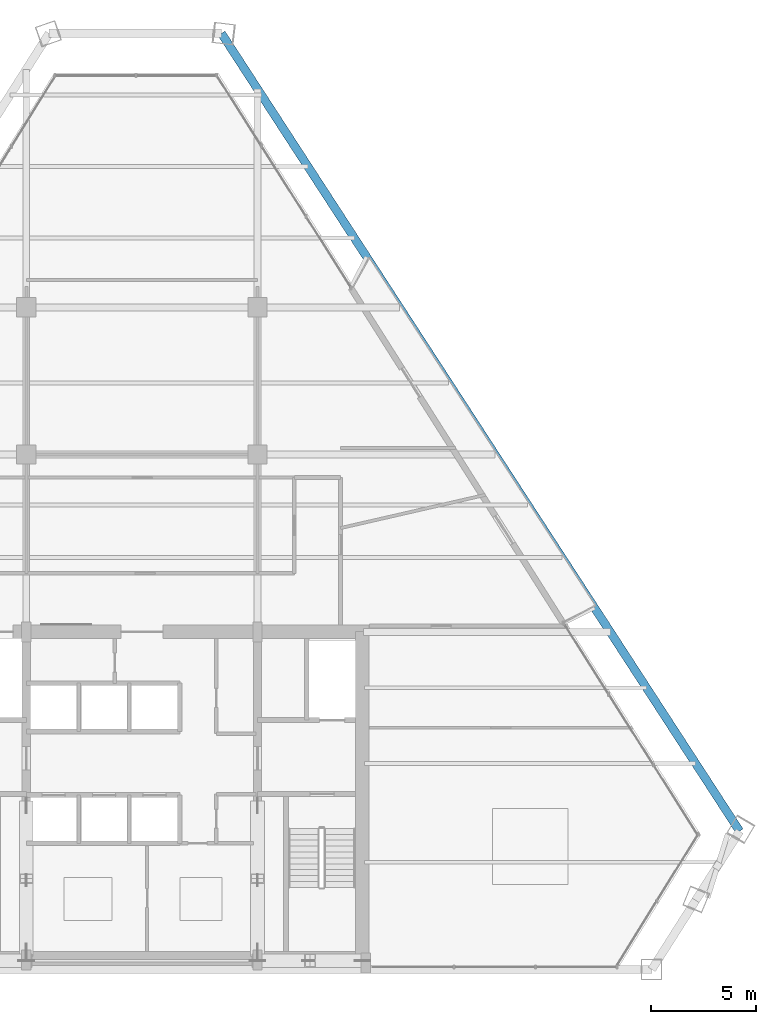
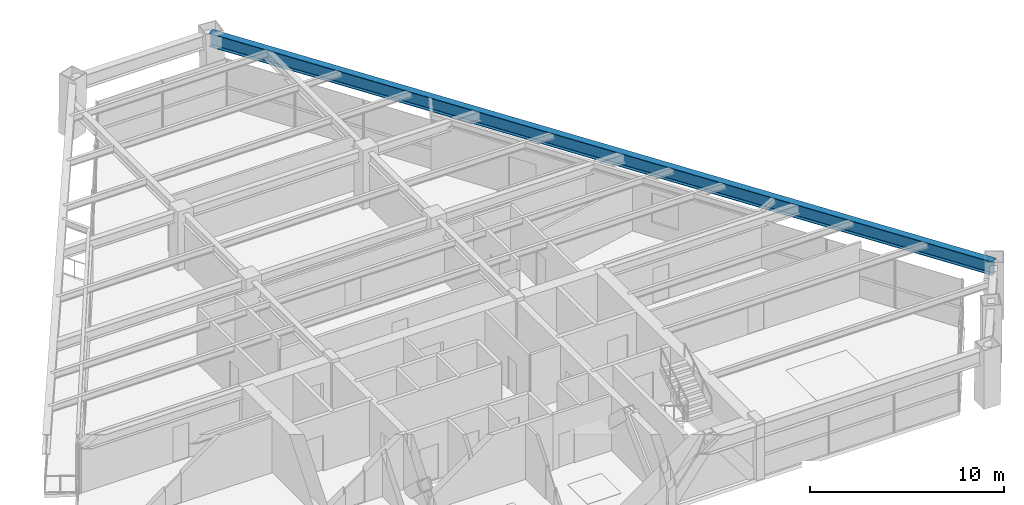
# One storey, part 7 of 15: 1 beam.
"""IFC4 building model written with IfcOpenShell, lengths in metres."""

from ifc_helpers import new_model, si_unit, direction, frame, origin, origin_2d, place, context, subcontext, project, spatial, i_section, extrude, source, transform, mapped, material, material_profile, profile_set, type_object, element, save


model = new_model("IFC4")

# Units and contexts
model_context = context("Model", 3, precision=1e-05, world=origin(), true_north=direction((0.0, 1.0)))
body_context = subcontext(model_context, "Body", "Model", "MODEL_VIEW")
ifc_project = project(units=[si_unit("LENGTHUNIT", "METRE"), si_unit("AREAUNIT", "SQUARE_METRE"), si_unit("VOLUMEUNIT", "CUBIC_METRE"), si_unit("PLANEANGLEUNIT", "RADIAN"), si_unit("MASSUNIT", "GRAM", prefix="KILO")], contexts=[model_context])

# Site, building, storey
site_placement = place(None, origin())
site = spatial("IfcSite", under=ifc_project, at=site_placement, CompositionType="ELEMENT")
building_placement = place(site_placement, origin())
building = spatial("IfcBuilding", under=site, at=building_placement, Name="Varnakhor Terracotta Tower", CompositionType="ELEMENT")
storey_placement = place(building_placement, frame((0.0, 0.0, 185.800048828125)))
storey = spatial("IfcBuildingStorey", under=building, at=storey_placement, Name="L47", CompositionType="ELEMENT", Elevation=185.800048828125)

# Beam
ifc_material = material(Name="Steel S355", Category="steel")
ifc_material_profile = material_profile(ifc_material, i_section(OverallWidth=0.39990234375, OverallDepth=0.85498046875, WebThickness=0.01806640625, FlangeThickness=0.029052734375, FilletRadius=0.01806640625, at=origin_2d()), Name="W33X201")
ifc_profile_set = profile_set([ifc_material_profile], Name="Steel S355")
beam_type = type_object("IfcBeamType", Name="BM-W33X201", PredefinedType="BEAM", material=ifc_profile_set)
shared_shape = source(origin(), body_context, "Body", "SweptSolid", [
    extrude(i_section(OverallWidth=0.39990234375, OverallDepth=0.85498046875, WebThickness=0.01806640625, FlangeThickness=0.029052734375, FilletRadius=0.01806640625, at=origin_2d()), origin(), (0.0, 0.0, 1.0), 45.26171875),
])
beam_placement = place(storey_placement, frame((28.437255859375, 6.577880859375, 3.04248046875), z_axis=(-0.544701081648, 0.838630271127, 0.0), x_axis=(-0.838630271127, -0.544701081648, 0.0)))
element("IfcBeam", 1, at=beam_placement, inside=storey, type_object=beam_type, Name="L47 Perimeter Spandrel 4", PredefinedType="BEAM", context=body_context, shape_type="MappedRepresentation", body=[
    mapped(shared_shape, transform((0.0, 0.0, 0.0), scale=1.0)),
])

save(model, "model.ifc")
